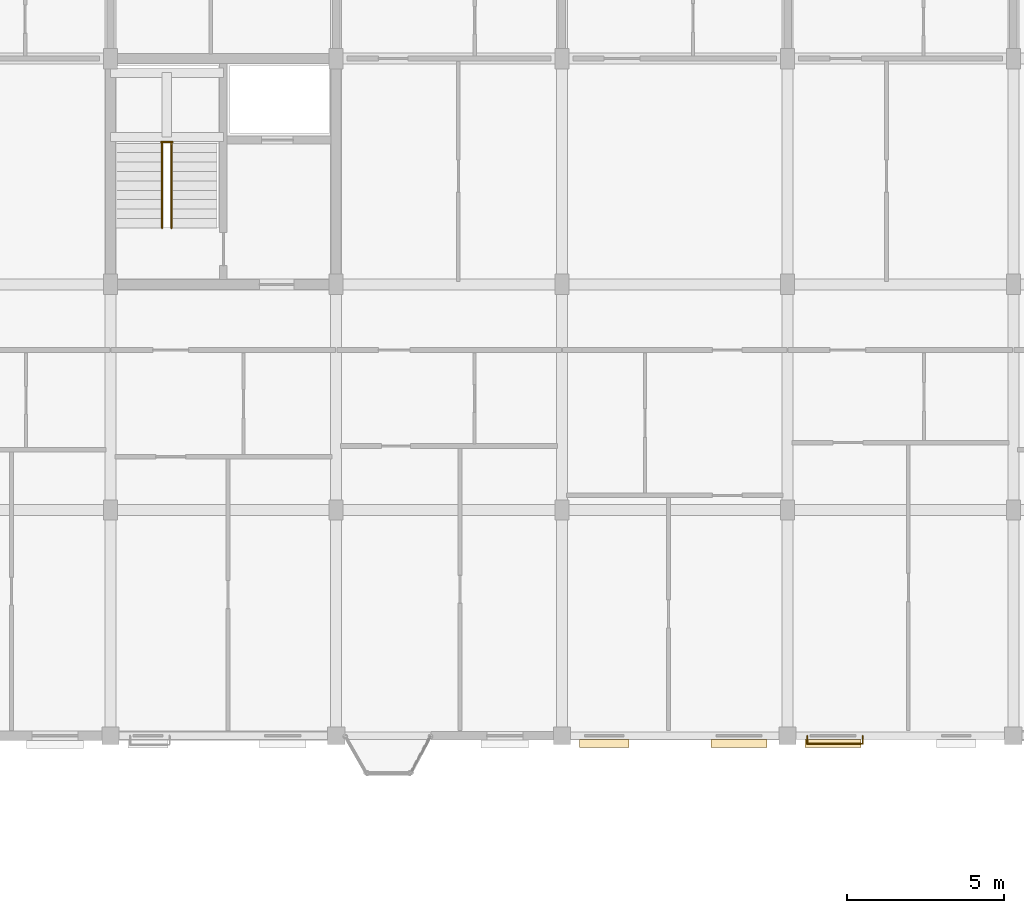
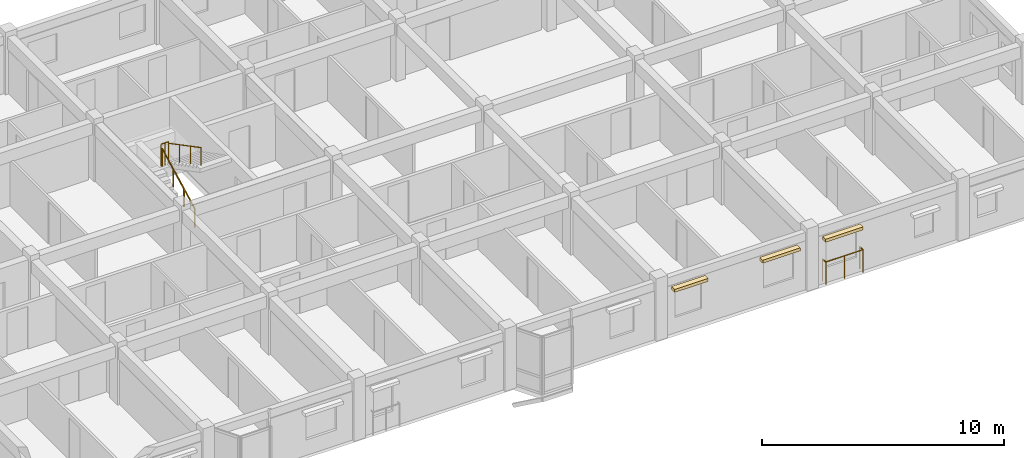
# One storey, part 73 of 75: 4 railings, 3 coverings.
"""IFC4 building model written with IfcOpenShell, lengths in metres."""

from ifc_helpers import new_model, si_unit, direction, frame, origin, origin_2d, place, context, subcontext, project, spatial, rectangle, circle, extrude, material, layer, layer_set, type_object, element, save


model = new_model("IFC4")

# Units and contexts
model_context = context("Model", 3, precision=1e-05, world=origin(), true_north=direction((0.0, 1.0)))
body_context = subcontext(model_context, "Body", "Model", "MODEL_VIEW")
ifc_project = project(units=[si_unit("LENGTHUNIT", "METRE"), si_unit("AREAUNIT", "SQUARE_METRE"), si_unit("VOLUMEUNIT", "CUBIC_METRE"), si_unit("PLANEANGLEUNIT", "RADIAN"), si_unit("MASSUNIT", "GRAM", prefix="KILO"), si_unit("THERMODYNAMICTEMPERATUREUNIT", "KELVIN"), si_unit("POWERUNIT", "WATT")], contexts=[model_context])

# Site, building, storey
site_placement = place(None, origin())
site = spatial("IfcSite", under=ifc_project, at=site_placement, CompositionType="ELEMENT")
building_placement = place(site_placement, origin())
building = spatial("IfcBuilding", under=site, at=building_placement, Name="Tavuni Mirador Residences", CompositionType="ELEMENT")
storey_placement = place(building_placement, frame((0.0, 0.0, 20.25)))
storey = spatial("IfcBuildingStorey", under=building, at=storey_placement, Name="L06", CompositionType="ELEMENT", Elevation=20.25)

# Coverings
ifc_material_1 = material(Name="Natural coral limestone", Category="masonry")
ifc_layer = layer(ifc_material_1, 0.054931640625, Name="Natural coral limestone", Category="masonry")
ifc_layer_set = layer_set([ifc_layer], Name="Natural coral limestone")
covering_type = type_object("IfcCoveringType", Name="CVT-CLAD-CORAL", PredefinedType="CLADDING", material=ifc_layer_set)
covering_placement = place(storey_placement, frame((55.35009765625, 143.75048828125, 2.2451171875), z_axis=(0.0, 0.0, 1.0), x_axis=(1.0, 0.0, 0.0)))
element("IfcCovering", 1, at=covering_placement, inside=storey, type_object=covering_type, Name="HOOD-0671", PredefinedType="CLADDING", context=body_context, shape_type="SweptSolid", body=[
    extrude(rectangle(XDim=1.590087890625, YDim=0.25, at=origin_2d()), origin(), (0.0, 0.0, 1.0), 0.14990234375),
])
for number, where, z_axis, x_axis, name in (
    (2, (59.64990234375, 143.75048828125, 2.2451171875), (0.0, 0.0, 1.0), (1.0, 0.0, 0.0), "HOOD-0672"),
    (3, (62.64990234375, 143.755615234375, 2.2451171875), (0.0, 0.0, 1.0), (1.0, 0.0, 0.0), "HOOD-0673"),
):
    element("IfcCovering", number, at=place(storey_placement, frame(where, z_axis=z_axis, x_axis=x_axis)), inside=storey, type_object=covering_type, Name=name, PredefinedType="CLADDING", context=body_context, shape_type="SweptSolid", body=[
        extrude(rectangle(XDim=1.7900390625, YDim=0.25, at=origin_2d()), origin(), (0.0, 0.0, 1.0), 0.14990234375),
    ])

# Railings
ifc_material_2 = material(Name="Structural steel S355", Category="steel")
railing_type_1 = type_object("IfcRailingType", Name="RT-BL1150", PredefinedType="BALUSTRADE", material=ifc_material_2)
railing_1_placement = place(storey_placement, frame((61.824951171875, 144.0, 0.0400390625)))
element("IfcRailing", 4, at=railing_1_placement, inside=storey, type_object=railing_type_1, Name="BALC-BLK-C-L06-S07", PredefinedType="BALUSTRADE", context=body_context, shape_type="SweptSolid", body=[
    extrude(circle(Radius=0.02392578125, at=origin_2d()), frame((0.0, 0.0, 1.1259765625), z_axis=(0.0, -1.0, 0.0), x_axis=(1.0, 0.0, 0.0)), (0.0, 0.0, 1.0), 0.262451171875),
    extrude(circle(Radius=0.02392578125, at=origin_2d()), frame((0.0, -0.262451171875, 1.1259765625), z_axis=(1.0, 0.0, 0.0), x_axis=(0.0, 1.0, 0.0)), (0.0, 0.0, 1.0), 1.77001953125),
    extrude(circle(Radius=0.02392578125, at=origin_2d()), frame((1.77001953125, -0.262451171875, 1.1259765625), z_axis=(0.0, 1.0, 0.0), x_axis=(-1.0, 0.0, 0.0)), (0.0, 0.0, 1.0), 0.262451171875),
    extrude(circle(Radius=0.02099609375, at=origin_2d()), origin(), (0.0, 0.0, 1.0), 1.101806640625),
    extrude(circle(Radius=0.02099609375, at=origin_2d()), frame((0.0, -0.262451171875, 0.0)), (0.0, 0.0, 1.0), 1.101806640625),
    extrude(circle(Radius=0.02099609375, at=origin_2d()), frame((0.885009765625, -0.262451171875, 0.0)), (0.0, 0.0, 1.0), 1.101806640625),
    extrude(circle(Radius=0.02099609375, at=origin_2d()), frame((1.77001953125, -0.262451171875, 0.0)), (0.0, 0.0, 1.0), 1.101806640625),
    extrude(circle(Radius=0.02099609375, at=origin_2d()), frame((1.77001953125, 0.0, 0.0)), (0.0, 0.0, 1.0), 1.101806640625),
])
railing_type_2 = type_object("IfcRailingType", Name="RT-GR1120", PredefinedType="GUARDRAIL", material=ifc_material_2)
railing_2_placement = place(storey_placement, frame((41.219970703125, 162.93994140625, 1.574951171875)))
element("IfcRailing", 5, at=railing_2_placement, inside=storey, type_object=railing_type_2, Name="GRD-HL-ST6-L06", PredefinedType="GUARDRAIL", context=body_context, shape_type="SweptSolid", body=[
    extrude(circle(Radius=0.02392578125, at=origin_2d()), frame((0.0, 0.0, 1.09619140625), z_axis=(1.0, 0.0, 0.0), x_axis=(0.0, 1.0, 0.0)), (0.0, 0.0, 1.0), 0.360107421875),
    extrude(circle(Radius=0.02099609375, at=origin_2d()), origin(), (0.0, 0.0, 1.0), 1.072021484375),
    extrude(circle(Radius=0.02099609375, at=origin_2d()), frame((0.18017578125, 0.0, 0.0)), (0.0, 0.0, 1.0), 1.072021484375),
    extrude(circle(Radius=0.02099609375, at=origin_2d()), frame((0.360107421875, 0.0, 0.0)), (0.0, 0.0, 1.0), 1.072021484375),
])
railing_type_3 = type_object("IfcRailingType", Name="RT-HR920", PredefinedType="HANDRAIL", material=ifc_material_2)
railing_3_placement = place(storey_placement, frame((41.25, 160.199951171875, 0.157470703125)))
element("IfcRailing", 6, at=railing_3_placement, inside=storey, type_object=railing_type_3, Name="HR-ST6-L06-F1", PredefinedType="HANDRAIL", context=body_context, shape_type="SweptSolid", body=[
    extrude(circle(Radius=0.02392578125, at=origin_2d()), frame((0.0, 0.0, 0.89599609375), z_axis=(0.0, 0.885397079081, 0.464835468048), x_axis=(-1.0, 0.0, 0.0)), (0.0, 0.0, 1.0), 3.04931640625),
    extrude(circle(Radius=0.02099609375, at=origin_2d()), origin(), (0.0, 0.0, 1.0), 0.871826171875),
    extrude(circle(Radius=0.02099609375, at=origin_2d()), frame((0.0, 0.89990234375, 0.472412109375)), (0.0, 0.0, 1.0), 0.871826171875),
    extrude(circle(Radius=0.02099609375, at=origin_2d()), frame((0.0, 1.800048828125, 0.945068359375)), (0.0, 0.0, 1.0), 0.871826171875),
    extrude(circle(Radius=0.02099609375, at=origin_2d()), frame((0.0, 2.699951171875, 1.41748046875)), (0.0, 0.0, 1.0), 0.871826171875),
])
railing_4_placement = place(storey_placement, frame((41.550048828125, 162.89990234375, 1.732421875)))
element("IfcRailing", 7, at=railing_4_placement, inside=storey, type_object=railing_type_3, Name="HR-ST6-L06-F2", PredefinedType="HANDRAIL", context=body_context, shape_type="SweptSolid", body=[
    extrude(circle(Radius=0.02392578125, at=origin_2d()), frame((0.0, 0.0, 0.89599609375), z_axis=(0.0, -0.885397079081, 0.464835468048), x_axis=(1.0, 0.0, 0.0)), (0.0, 0.0, 1.0), 3.04931640625),
    extrude(circle(Radius=0.02099609375, at=origin_2d()), origin(), (0.0, 0.0, 1.0), 0.871826171875),
    extrude(circle(Radius=0.02099609375, at=origin_2d()), frame((0.0, -0.89990234375, 0.472412109375)), (0.0, 0.0, 1.0), 0.871826171875),
    extrude(circle(Radius=0.02099609375, at=origin_2d()), frame((0.0, -1.800048828125, 0.945068359375)), (0.0, 0.0, 1.0), 0.871826171875),
    extrude(circle(Radius=0.02099609375, at=origin_2d()), frame((0.0, -2.699951171875, 1.41748046875)), (0.0, 0.0, 1.0), 0.871826171875),
])

save(model, "model.ifc")
